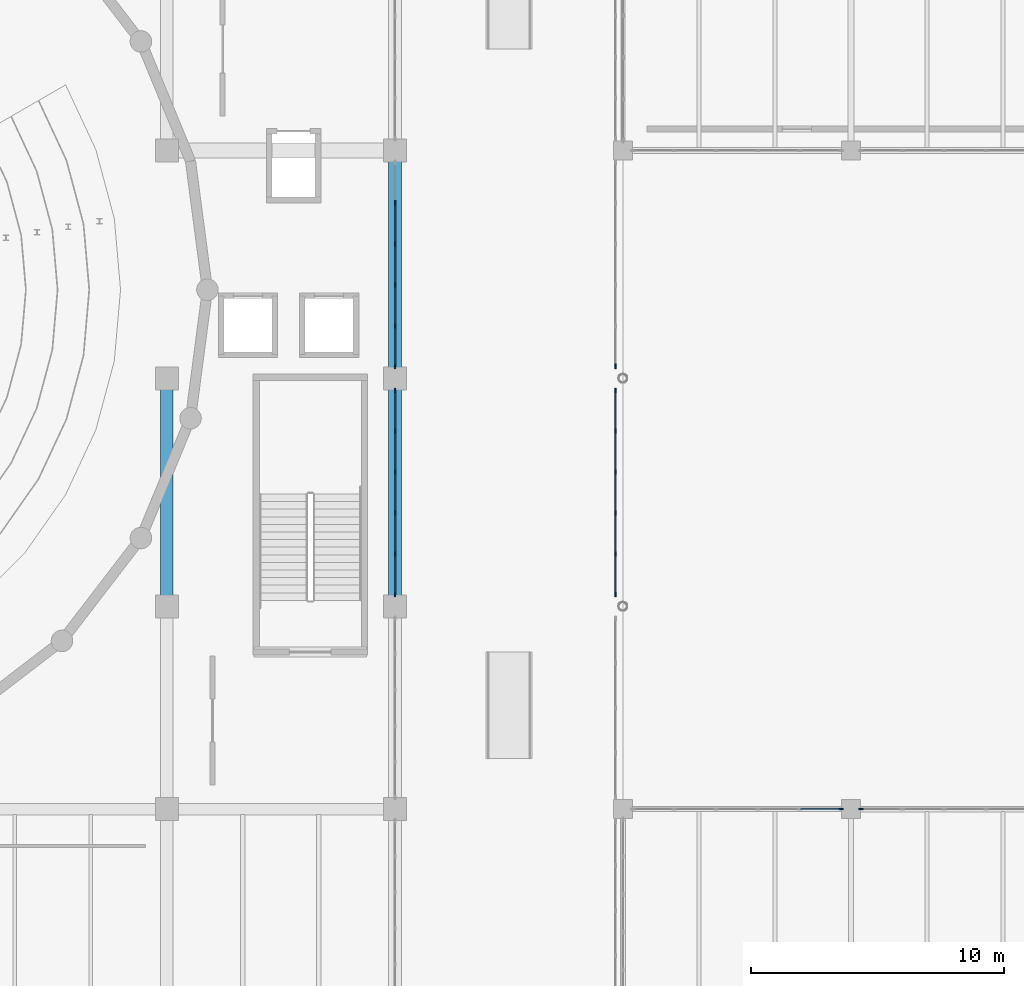
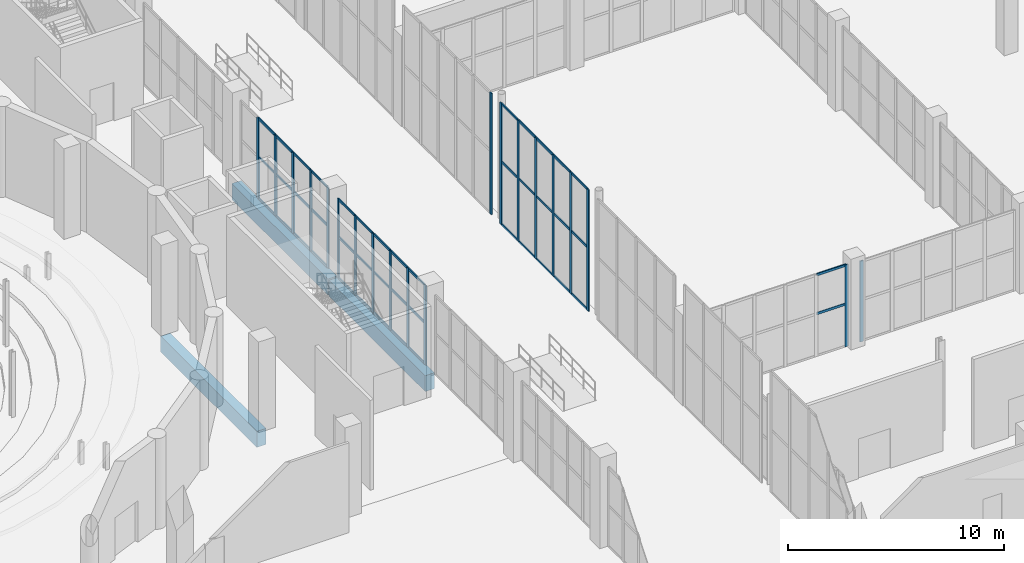
# One storey, part 46 of 103: 64 members, 3 beams, 6 elements without a shape of their own.
"""IFC4 building model written with IfcOpenShell, lengths in metres."""

from ifc_helpers import new_model, si_unit, direction, frame, origin, origin_2d, place, context, subcontext, project, spatial, rectangle, extrude, material, layer, layer_set, material_profile, profile_set, type_object, element, aggregate, save


model = new_model("IFC4")

# Units and contexts
model_context = context("Model", 3, precision=1e-05, world=origin(), true_north=direction((0.0, 1.0)))
body_context = subcontext(model_context, "Body", "Model", "MODEL_VIEW")
ifc_project = project(units=[si_unit("LENGTHUNIT", "METRE"), si_unit("AREAUNIT", "SQUARE_METRE"), si_unit("VOLUMEUNIT", "CUBIC_METRE"), si_unit("PLANEANGLEUNIT", "RADIAN"), si_unit("MASSUNIT", "GRAM", prefix="KILO")], contexts=[model_context])

# Site, building, storey
site_placement = place(None, origin())
site = spatial("IfcSite", under=ifc_project, at=site_placement, CompositionType="ELEMENT")
building_placement = place(site_placement, origin())
building = spatial("IfcBuilding", under=site, at=building_placement, Name="Marnock Terrace Opera House", CompositionType="ELEMENT")
storey_placement = place(building_placement, origin())
storey = spatial("IfcBuildingStorey", under=building, at=storey_placement, Name="L00", CompositionType="ELEMENT", Elevation=0.0)

# Beams
ifc_material_1 = material(Name="Concrete N40 (f'c = 40 MPa)", Category="concrete")
ifc_material_profile_1 = material_profile(ifc_material_1, rectangle(XDim=0.5, YDim=0.89990234375, at=origin_2d()))
ifc_profile_set_1 = profile_set([ifc_material_profile_1], Name="Concrete N40 (f'c = 40 MPa)")
beam_type = type_object("IfcBeamType", Name="BM-B1-RC500", PredefinedType="BEAM", material=ifc_profile_set_1)
for number, where, z_axis, x_axis, name in (
    (1, (100.0, 48.050048828125, -0.75), (0.0, 1.0, 0.0), (-1.0, 0.0, 0.0), "L00 girder (X=100.0, 48.0..57.0)"),
    (2, (109.0, 48.050048828125, -0.75), (0.0, 1.0, 0.0), (-1.0, 0.0, 0.0), "L00 girder (X=109.0, 48.0..57.0)"),
    (3, (109.0, 57.050048828125, -0.75), (0.0, 1.0, 0.0), (-1.0, 0.0, 0.0), "L00 girder (X=109.0, 57.0..66.0)"),
):
    element("IfcBeam", number, at=place(storey_placement, frame(where, z_axis=z_axis, x_axis=x_axis)), inside=storey, type_object=beam_type, Name=name, PredefinedType="BEAM", context=body_context, shape_type="SweptSolid", body=[
        extrude(rectangle(XDim=0.5, YDim=0.89990234375, at=origin_2d()), origin(), (0.0, 0.0, 1.0), 8.89990234375),
    ])

# Curtain wall, members
ifc_material_2 = material(Name="Anodised architectural bronze aluminium framing", Category="aluminium")
ifc_layer_1 = layer(ifc_material_2, 0.159912109375)
ifc_layer_set_1 = layer_set([ifc_layer_1], Name="Anodised architectural bronze aluminium framing")
curtain_wall_type_1 = type_object("IfcCurtainWallType", Name="CW-FOYER-90x51", PredefinedType="NOTDEFINED", material=ifc_layer_set_1)
curtain_wall_1_placement = place(storey_placement, origin())
curtain_wall_1 = element("IfcCurtainWall", 4, at=curtain_wall_1_placement, inside=storey, type_object=curtain_wall_type_1, Name="L00 glazed Beaux-Arts colonnade curtain wall CW-V1E-L00-06", PredefinedType="NOTDEFINED")
ifc_material_profile_2 = material_profile(ifc_material_2, rectangle(XDim=0.06494140625, YDim=0.179931640625, at=origin_2d()))
ifc_profile_set_2 = profile_set([ifc_material_profile_2], Name="Anodised architectural bronze aluminium framing")
member_type_1 = type_object("IfcMemberType", Name="CWM-65x180", PredefinedType="MULLION", material=ifc_profile_set_2)
member_1_placement = place(storey_placement, frame((109.0, 48.47607421875, 0.0), z_axis=(0.0, 0.0, 1.0), x_axis=(-1.0, 0.0, 0.0)))
member_1 = element("IfcMember", 5, at=member_1_placement, type_object=member_type_1, Name="CW-31 mullion 1", PredefinedType="MULLION", context=body_context, shape_type="SweptSolid", body=[
    extrude(rectangle(XDim=0.06494140625, YDim=0.179931640625, at=origin_2d()), origin(), (0.0, 0.0, 1.0), 4.488037109375),
])
member_2_placement = place(storey_placement, frame((109.0, 50.067626953125, 0.0), z_axis=(0.0, 0.0, 1.0), x_axis=(-1.0, 0.0, 0.0)))
member_2 = element("IfcMember", 6, at=member_2_placement, type_object=member_type_1, Name="CW-31 mullion 2", PredefinedType="MULLION", context=body_context, shape_type="SweptSolid", body=[
    extrude(rectangle(XDim=0.06494140625, YDim=0.179931640625, at=origin_2d()), origin(), (0.0, 0.0, 1.0), 4.488037109375),
])
member_3_placement = place(storey_placement, frame((109.0, 51.689208984375, 0.0), z_axis=(0.0, 0.0, 1.0), x_axis=(-1.0, 0.0, 0.0)))
member_3 = element("IfcMember", 7, at=member_3_placement, type_object=member_type_1, Name="CW-31 mullion 3", PredefinedType="MULLION", context=body_context, shape_type="SweptSolid", body=[
    extrude(rectangle(XDim=0.06494140625, YDim=0.179931640625, at=origin_2d()), origin(), (0.0, 0.0, 1.0), 4.488037109375),
])
member_4_placement = place(storey_placement, frame((109.0, 53.310791015625, 0.0), z_axis=(0.0, 0.0, 1.0), x_axis=(-1.0, 0.0, 0.0)))
member_4 = element("IfcMember", 8, at=member_4_placement, type_object=member_type_1, Name="CW-31 mullion 4", PredefinedType="MULLION", context=body_context, shape_type="SweptSolid", body=[
    extrude(rectangle(XDim=0.06494140625, YDim=0.179931640625, at=origin_2d()), origin(), (0.0, 0.0, 1.0), 4.488037109375),
])
member_5_placement = place(storey_placement, frame((109.0, 54.932373046875, 0.0), z_axis=(0.0, 0.0, 1.0), x_axis=(-1.0, 0.0, 0.0)))
member_5 = element("IfcMember", 9, at=member_5_placement, type_object=member_type_1, Name="CW-31 mullion 5", PredefinedType="MULLION", context=body_context, shape_type="SweptSolid", body=[
    extrude(rectangle(XDim=0.06494140625, YDim=0.179931640625, at=origin_2d()), origin(), (0.0, 0.0, 1.0), 4.488037109375),
])
member_6_placement = place(storey_placement, frame((109.0, 56.52392578125, 0.0), z_axis=(0.0, 0.0, 1.0), x_axis=(-1.0, 0.0, 0.0)))
member_6 = element("IfcMember", 10, at=member_6_placement, type_object=member_type_1, Name="CW-31 mullion 6", PredefinedType="MULLION", context=body_context, shape_type="SweptSolid", body=[
    extrude(rectangle(XDim=0.06494140625, YDim=0.179931640625, at=origin_2d()), origin(), (0.0, 0.0, 1.0), 4.488037109375),
])

curtain_wall_2_placement = place(storey_placement, origin())
curtain_wall_2 = element("IfcCurtainWall", 11, at=curtain_wall_2_placement, inside=storey, type_object=curtain_wall_type_1, Name="L00 glazed Beaux-Arts colonnade curtain wall CW-V1E-L00-07", PredefinedType="NOTDEFINED")
member_7_placement = place(storey_placement, frame((109.0, 57.47607421875, 0.0), z_axis=(0.0, 0.0, 1.0), x_axis=(-1.0, 0.0, 0.0)))
member_7 = element("IfcMember", 12, at=member_7_placement, type_object=member_type_1, Name="CW-31 mullion 1", PredefinedType="MULLION", context=body_context, shape_type="SweptSolid", body=[
    extrude(rectangle(XDim=0.06494140625, YDim=0.179931640625, at=origin_2d()), origin(), (0.0, 0.0, 1.0), 4.56201171875),
])
member_8_placement = place(storey_placement, frame((109.0, 59.067626953125, 0.0), z_axis=(0.0, 0.0, 1.0), x_axis=(-1.0, 0.0, 0.0)))
member_8 = element("IfcMember", 13, at=member_8_placement, type_object=member_type_1, Name="CW-31 mullion 2", PredefinedType="MULLION", context=body_context, shape_type="SweptSolid", body=[
    extrude(rectangle(XDim=0.06494140625, YDim=0.179931640625, at=origin_2d()), origin(), (0.0, 0.0, 1.0), 4.56201171875),
])
member_9_placement = place(storey_placement, frame((109.0, 60.689208984375, 0.0), z_axis=(0.0, 0.0, 1.0), x_axis=(-1.0, 0.0, 0.0)))
member_9 = element("IfcMember", 14, at=member_9_placement, type_object=member_type_1, Name="CW-31 mullion 3", PredefinedType="MULLION", context=body_context, shape_type="SweptSolid", body=[
    extrude(rectangle(XDim=0.06494140625, YDim=0.179931640625, at=origin_2d()), origin(), (0.0, 0.0, 1.0), 4.56201171875),
])
member_10_placement = place(storey_placement, frame((109.0, 62.310791015625, 0.0), z_axis=(0.0, 0.0, 1.0), x_axis=(-1.0, 0.0, 0.0)))
member_10 = element("IfcMember", 15, at=member_10_placement, type_object=member_type_1, Name="CW-31 mullion 4", PredefinedType="MULLION", context=body_context, shape_type="SweptSolid", body=[
    extrude(rectangle(XDim=0.06494140625, YDim=0.179931640625, at=origin_2d()), origin(), (0.0, 0.0, 1.0), 4.56201171875),
])
member_11_placement = place(storey_placement, frame((109.0, 63.932373046875, 0.0), z_axis=(0.0, 0.0, 1.0), x_axis=(-1.0, 0.0, 0.0)))
member_11 = element("IfcMember", 16, at=member_11_placement, type_object=member_type_1, Name="CW-31 mullion 5", PredefinedType="MULLION", context=body_context, shape_type="SweptSolid", body=[
    extrude(rectangle(XDim=0.06494140625, YDim=0.179931640625, at=origin_2d()), origin(), (0.0, 0.0, 1.0), 4.56201171875),
])

# Curtain wall, member
ifc_layer_2 = layer(ifc_material_2, 0.159912109375)
ifc_layer_set_2 = layer_set([ifc_layer_2], Name="Anodised architectural bronze aluminium framing")
curtain_wall_type_2 = type_object("IfcCurtainWallType", Name="CW-LOGGIA-86x51", PredefinedType="NOTDEFINED", material=ifc_layer_set_2)
curtain_wall_3_placement = place(storey_placement, origin())
curtain_wall_3 = element("IfcCurtainWall", 17, at=curtain_wall_3_placement, inside=storey, type_object=curtain_wall_type_2, Name="L00 glazed Beaux-Arts colonnade curtain wall CW-V5-L00-CS1", PredefinedType="NOTDEFINED")
member_12_placement = place(storey_placement, frame((126.59912109375, 40.0, 0.0), z_axis=(0.0, 0.0, 1.0), x_axis=(0.0, 1.0, 0.0)))
member_12 = element("IfcMember", 18, at=member_12_placement, type_object=member_type_1, Name="CW-96 mullion 6", PredefinedType="MULLION", context=body_context, shape_type="SweptSolid", body=[
    extrude(rectangle(XDim=0.06494140625, YDim=0.179931640625, at=origin_2d()), origin(), (0.0, 0.0, 1.0), 4.629638671875),
])

curtain_wall_4_placement = place(storey_placement, origin())
curtain_wall_4 = element("IfcCurtainWall", 19, at=curtain_wall_4_placement, inside=storey, type_object=curtain_wall_type_2, Name="L00 glazed Beaux-Arts colonnade curtain wall CW-V5-L00-CS2", PredefinedType="NOTDEFINED")
member_13_placement = place(storey_placement, frame((127.40087890625, 40.0, 0.0), z_axis=(0.0, 0.0, 1.0), x_axis=(0.0, 1.0, 0.0)))
member_13 = element("IfcMember", 20, at=member_13_placement, type_object=member_type_1, Name="CW-96 mullion 1", PredefinedType="MULLION", context=body_context, shape_type="SweptSolid", body=[
    extrude(rectangle(XDim=0.06494140625, YDim=0.179931640625, at=origin_2d()), origin(), (0.0, 0.0, 1.0), 4.556884765625),
])
aggregate(curtain_wall_4, [member_13])

# Curtain wall, members
ifc_layer_3 = layer(ifc_material_2, 0.159912109375)
ifc_layer_set_3 = layer_set([ifc_layer_3], Name="Anodised architectural bronze aluminium framing")
curtain_wall_type_3 = type_object("IfcCurtainWallType", Name="CW-PASSAGE-81x68", PredefinedType="NOTDEFINED", material=ifc_layer_set_3)
curtain_wall_5_placement = place(storey_placement, origin())
curtain_wall_5 = element("IfcCurtainWall", 21, at=curtain_wall_5_placement, inside=storey, type_object=curtain_wall_type_3, Name="L00 glazed Beaux-Arts colonnade curtain wall CW-PASSAGE-L00-06", PredefinedType="NOTDEFINED")
member_14_placement = place(storey_placement, frame((117.699951171875, 48.47998046875, 0.0), z_axis=(0.0, 0.0, 1.0), x_axis=(-1.0, 0.0, 0.0)))
member_14 = element("IfcMember", 22, at=member_14_placement, type_object=member_type_1, Name="CW-65 mullion 1", PredefinedType="MULLION", context=body_context, shape_type="SweptSolid", body=[
    extrude(rectangle(XDim=0.06494140625, YDim=0.179931640625, at=origin_2d()), origin(), (0.0, 0.0, 1.0), 6.85009765625),
])
member_15_placement = place(storey_placement, frame((117.699951171875, 50.070068359375, 0.0), z_axis=(0.0, 0.0, 1.0), x_axis=(-1.0, 0.0, 0.0)))
member_15 = element("IfcMember", 23, at=member_15_placement, type_object=member_type_1, Name="CW-65 mullion 2", PredefinedType="MULLION", context=body_context, shape_type="SweptSolid", body=[
    extrude(rectangle(XDim=0.06494140625, YDim=0.179931640625, at=origin_2d()), origin(), (0.0, 0.0, 1.0), 6.85009765625),
])
member_16_placement = place(storey_placement, frame((117.699951171875, 51.68994140625, 0.0), z_axis=(0.0, 0.0, 1.0), x_axis=(-1.0, 0.0, 0.0)))
member_16 = element("IfcMember", 24, at=member_16_placement, type_object=member_type_1, Name="CW-65 mullion 3", PredefinedType="MULLION", context=body_context, shape_type="SweptSolid", body=[
    extrude(rectangle(XDim=0.06494140625, YDim=0.179931640625, at=origin_2d()), origin(), (0.0, 0.0, 1.0), 6.85009765625),
])
member_17_placement = place(storey_placement, frame((117.699951171875, 53.31005859375, 0.0), z_axis=(0.0, 0.0, 1.0), x_axis=(-1.0, 0.0, 0.0)))
member_17 = element("IfcMember", 25, at=member_17_placement, type_object=member_type_1, Name="CW-65 mullion 4", PredefinedType="MULLION", context=body_context, shape_type="SweptSolid", body=[
    extrude(rectangle(XDim=0.06494140625, YDim=0.179931640625, at=origin_2d()), origin(), (0.0, 0.0, 1.0), 6.85009765625),
])
member_18_placement = place(storey_placement, frame((117.699951171875, 54.929931640625, 0.0), z_axis=(0.0, 0.0, 1.0), x_axis=(-1.0, 0.0, 0.0)))
member_18 = element("IfcMember", 26, at=member_18_placement, type_object=member_type_1, Name="CW-65 mullion 5", PredefinedType="MULLION", context=body_context, shape_type="SweptSolid", body=[
    extrude(rectangle(XDim=0.06494140625, YDim=0.179931640625, at=origin_2d()), origin(), (0.0, 0.0, 1.0), 6.85009765625),
])
member_19_placement = place(storey_placement, frame((117.699951171875, 56.52001953125, 0.0), z_axis=(0.0, 0.0, 1.0), x_axis=(-1.0, 0.0, 0.0)))
member_19 = element("IfcMember", 27, at=member_19_placement, type_object=member_type_1, Name="CW-65 mullion 6", PredefinedType="MULLION", context=body_context, shape_type="SweptSolid", body=[
    extrude(rectangle(XDim=0.06494140625, YDim=0.179931640625, at=origin_2d()), origin(), (0.0, 0.0, 1.0), 6.85009765625),
])

# Curtain wall, member
curtain_wall_6_placement = place(storey_placement, origin())
curtain_wall_6 = element("IfcCurtainWall", 28, at=curtain_wall_6_placement, inside=storey, type_object=curtain_wall_type_3, Name="L00 glazed Beaux-Arts colonnade curtain wall CW-PASSAGE-L00-07", PredefinedType="NOTDEFINED")
member_20_placement = place(storey_placement, frame((117.699951171875, 57.47998046875, 0.0), z_axis=(0.0, 0.0, 1.0), x_axis=(-1.0, 0.0, 0.0)))
member_20 = element("IfcMember", 29, at=member_20_placement, type_object=member_type_1, Name="CW-65 mullion 1", PredefinedType="MULLION", context=body_context, shape_type="SweptSolid", body=[
    extrude(rectangle(XDim=0.06494140625, YDim=0.179931640625, at=origin_2d()), origin(), (0.0, 0.0, 1.0), 6.85009765625),
])
aggregate(curtain_wall_6, [member_20])

# Member
ifc_material_profile_3 = material_profile(ifc_material_2, rectangle(XDim=0.06005859375, YDim=0.1298828125, at=origin_2d()))
ifc_profile_set_3 = profile_set([ifc_material_profile_3], Name="Anodised architectural bronze aluminium framing")
member_type_2 = type_object("IfcMemberType", Name="CWT-60x130", PredefinedType="USERDEFINED", material=ifc_profile_set_3)
member_21_placement = place(storey_placement, frame((109.0, 48.506103515625, 0.030029296875), z_axis=(0.0, 1.0, 0.0), x_axis=(-1.0, 0.0, 0.0)))
member_21 = element("IfcMember", 30, at=member_21_placement, type_object=member_type_2, Name="CW-31 transom 1.1", ObjectType="TRANSOM", PredefinedType="USERDEFINED", context=body_context, shape_type="SweptSolid", body=[
    extrude(rectangle(XDim=0.06005859375, YDim=0.1298828125, at=origin_2d()), origin(), (0.0, 0.0, 1.0), 1.531494140625),
])

member_22_placement = place(storey_placement, frame((109.0, 48.506103515625, 2.333740234375), z_axis=(0.0, 1.0, 0.0), x_axis=(-1.0, 0.0, 0.0)))
member_22 = element("IfcMember", 31, at=member_22_placement, type_object=member_type_2, Name="CW-31 transom 1.2", ObjectType="TRANSOM", PredefinedType="USERDEFINED", context=body_context, shape_type="SweptSolid", body=[
    extrude(rectangle(XDim=0.06005859375, YDim=0.1298828125, at=origin_2d()), origin(), (0.0, 0.0, 1.0), 1.531494140625),
])

member_23_placement = place(storey_placement, frame((109.0, 48.506103515625, 4.4580078125), z_axis=(0.0, 1.0, 0.0), x_axis=(-1.0, 0.0, 0.0)))
member_23 = element("IfcMember", 32, at=member_23_placement, type_object=member_type_2, Name="CW-31 transom 1.3", ObjectType="TRANSOM", PredefinedType="USERDEFINED", context=body_context, shape_type="SweptSolid", body=[
    extrude(rectangle(XDim=0.06005859375, YDim=0.1298828125, at=origin_2d()), origin(), (0.0, 0.0, 1.0), 1.531494140625),
])

member_24_placement = place(storey_placement, frame((109.0, 50.09765625, 0.030029296875), z_axis=(0.0, 1.0, 0.0), x_axis=(-1.0, 0.0, 0.0)))
member_24 = element("IfcMember", 33, at=member_24_placement, type_object=member_type_2, Name="CW-31 transom 2.1", ObjectType="TRANSOM", PredefinedType="USERDEFINED", context=body_context, shape_type="SweptSolid", body=[
    extrude(rectangle(XDim=0.06005859375, YDim=0.1298828125, at=origin_2d()), origin(), (0.0, 0.0, 1.0), 1.5615234375),
])

member_25_placement = place(storey_placement, frame((109.0, 50.09765625, 2.333740234375), z_axis=(0.0, 1.0, 0.0), x_axis=(-1.0, 0.0, 0.0)))
member_25 = element("IfcMember", 34, at=member_25_placement, type_object=member_type_2, Name="CW-31 transom 2.2", ObjectType="TRANSOM", PredefinedType="USERDEFINED", context=body_context, shape_type="SweptSolid", body=[
    extrude(rectangle(XDim=0.06005859375, YDim=0.1298828125, at=origin_2d()), origin(), (0.0, 0.0, 1.0), 1.5615234375),
])

member_26_placement = place(storey_placement, frame((109.0, 50.09765625, 4.4580078125), z_axis=(0.0, 1.0, 0.0), x_axis=(-1.0, 0.0, 0.0)))
member_26 = element("IfcMember", 35, at=member_26_placement, type_object=member_type_2, Name="CW-31 transom 2.3", ObjectType="TRANSOM", PredefinedType="USERDEFINED", context=body_context, shape_type="SweptSolid", body=[
    extrude(rectangle(XDim=0.06005859375, YDim=0.1298828125, at=origin_2d()), origin(), (0.0, 0.0, 1.0), 1.5615234375),
])

member_27_placement = place(storey_placement, frame((109.0, 51.71923828125, 0.030029296875), z_axis=(0.0, 1.0, 0.0), x_axis=(-1.0, 0.0, 0.0)))
member_27 = element("IfcMember", 36, at=member_27_placement, type_object=member_type_2, Name="CW-31 transom 3.1", ObjectType="TRANSOM", PredefinedType="USERDEFINED", context=body_context, shape_type="SweptSolid", body=[
    extrude(rectangle(XDim=0.06005859375, YDim=0.1298828125, at=origin_2d()), origin(), (0.0, 0.0, 1.0), 1.5615234375),
])

member_28_placement = place(storey_placement, frame((109.0, 51.71923828125, 2.333740234375), z_axis=(0.0, 1.0, 0.0), x_axis=(-1.0, 0.0, 0.0)))
member_28 = element("IfcMember", 37, at=member_28_placement, type_object=member_type_2, Name="CW-31 transom 3.2", ObjectType="TRANSOM", PredefinedType="USERDEFINED", context=body_context, shape_type="SweptSolid", body=[
    extrude(rectangle(XDim=0.06005859375, YDim=0.1298828125, at=origin_2d()), origin(), (0.0, 0.0, 1.0), 1.5615234375),
])

member_29_placement = place(storey_placement, frame((109.0, 51.71923828125, 4.4580078125), z_axis=(0.0, 1.0, 0.0), x_axis=(-1.0, 0.0, 0.0)))
member_29 = element("IfcMember", 38, at=member_29_placement, type_object=member_type_2, Name="CW-31 transom 3.3", ObjectType="TRANSOM", PredefinedType="USERDEFINED", context=body_context, shape_type="SweptSolid", body=[
    extrude(rectangle(XDim=0.06005859375, YDim=0.1298828125, at=origin_2d()), origin(), (0.0, 0.0, 1.0), 1.5615234375),
])

member_30_placement = place(storey_placement, frame((109.0, 53.3408203125, 0.030029296875), z_axis=(0.0, 1.0, 0.0), x_axis=(-1.0, 0.0, 0.0)))
member_30 = element("IfcMember", 39, at=member_30_placement, type_object=member_type_2, Name="CW-31 transom 4.1", ObjectType="TRANSOM", PredefinedType="USERDEFINED", context=body_context, shape_type="SweptSolid", body=[
    extrude(rectangle(XDim=0.06005859375, YDim=0.1298828125, at=origin_2d()), origin(), (0.0, 0.0, 1.0), 1.5615234375),
])

member_31_placement = place(storey_placement, frame((109.0, 53.3408203125, 2.333740234375), z_axis=(0.0, 1.0, 0.0), x_axis=(-1.0, 0.0, 0.0)))
member_31 = element("IfcMember", 40, at=member_31_placement, type_object=member_type_2, Name="CW-31 transom 4.2", ObjectType="TRANSOM", PredefinedType="USERDEFINED", context=body_context, shape_type="SweptSolid", body=[
    extrude(rectangle(XDim=0.06005859375, YDim=0.1298828125, at=origin_2d()), origin(), (0.0, 0.0, 1.0), 1.5615234375),
])

member_32_placement = place(storey_placement, frame((109.0, 53.3408203125, 4.4580078125), z_axis=(0.0, 1.0, 0.0), x_axis=(-1.0, 0.0, 0.0)))
member_32 = element("IfcMember", 41, at=member_32_placement, type_object=member_type_2, Name="CW-31 transom 4.3", ObjectType="TRANSOM", PredefinedType="USERDEFINED", context=body_context, shape_type="SweptSolid", body=[
    extrude(rectangle(XDim=0.06005859375, YDim=0.1298828125, at=origin_2d()), origin(), (0.0, 0.0, 1.0), 1.5615234375),
])

member_33_placement = place(storey_placement, frame((109.0, 54.96240234375, 0.030029296875), z_axis=(0.0, 1.0, 0.0), x_axis=(-1.0, 0.0, 0.0)))
member_33 = element("IfcMember", 42, at=member_33_placement, type_object=member_type_2, Name="CW-31 transom 5.1", ObjectType="TRANSOM", PredefinedType="USERDEFINED", context=body_context, shape_type="SweptSolid", body=[
    extrude(rectangle(XDim=0.06005859375, YDim=0.1298828125, at=origin_2d()), origin(), (0.0, 0.0, 1.0), 1.531494140625),
])

member_34_placement = place(storey_placement, frame((109.0, 54.96240234375, 2.333740234375), z_axis=(0.0, 1.0, 0.0), x_axis=(-1.0, 0.0, 0.0)))
member_34 = element("IfcMember", 43, at=member_34_placement, type_object=member_type_2, Name="CW-31 transom 5.2", ObjectType="TRANSOM", PredefinedType="USERDEFINED", context=body_context, shape_type="SweptSolid", body=[
    extrude(rectangle(XDim=0.06005859375, YDim=0.1298828125, at=origin_2d()), origin(), (0.0, 0.0, 1.0), 1.531494140625),
])

member_35_placement = place(storey_placement, frame((109.0, 54.96240234375, 4.4580078125), z_axis=(0.0, 1.0, 0.0), x_axis=(-1.0, 0.0, 0.0)))
member_35 = element("IfcMember", 44, at=member_35_placement, type_object=member_type_2, Name="CW-31 transom 5.3", ObjectType="TRANSOM", PredefinedType="USERDEFINED", context=body_context, shape_type="SweptSolid", body=[
    extrude(rectangle(XDim=0.06005859375, YDim=0.1298828125, at=origin_2d()), origin(), (0.0, 0.0, 1.0), 1.531494140625),
])

aggregate(curtain_wall_1, [member_1, member_2, member_3, member_4, member_5, member_6, member_21, member_22, member_23, member_24, member_25, member_26, member_27, member_28, member_29, member_30, member_31, member_32, member_33, member_34, member_35])

member_36_placement = place(storey_placement, frame((109.0, 57.506103515625, 0.030029296875), z_axis=(0.0, 1.0, 0.0), x_axis=(-1.0, 0.0, 0.0)))
member_36 = element("IfcMember", 45, at=member_36_placement, type_object=member_type_2, Name="CW-31 transom 1.1", ObjectType="TRANSOM", PredefinedType="USERDEFINED", context=body_context, shape_type="SweptSolid", body=[
    extrude(rectangle(XDim=0.06005859375, YDim=0.1298828125, at=origin_2d()), origin(), (0.0, 0.0, 1.0), 1.531494140625),
])

member_37_placement = place(storey_placement, frame((109.0, 57.506103515625, 2.372314453125), z_axis=(0.0, 1.0, 0.0), x_axis=(-1.0, 0.0, 0.0)))
member_37 = element("IfcMember", 46, at=member_37_placement, type_object=member_type_2, Name="CW-31 transom 1.2", ObjectType="TRANSOM", PredefinedType="USERDEFINED", context=body_context, shape_type="SweptSolid", body=[
    extrude(rectangle(XDim=0.06005859375, YDim=0.1298828125, at=origin_2d()), origin(), (0.0, 0.0, 1.0), 1.531494140625),
])

member_38_placement = place(storey_placement, frame((109.0, 57.506103515625, 4.531982421875), z_axis=(0.0, 1.0, 0.0), x_axis=(-1.0, 0.0, 0.0)))
member_38 = element("IfcMember", 47, at=member_38_placement, type_object=member_type_2, Name="CW-31 transom 1.3", ObjectType="TRANSOM", PredefinedType="USERDEFINED", context=body_context, shape_type="SweptSolid", body=[
    extrude(rectangle(XDim=0.06005859375, YDim=0.1298828125, at=origin_2d()), origin(), (0.0, 0.0, 1.0), 1.531494140625),
])

member_39_placement = place(storey_placement, frame((109.0, 59.09765625, 0.030029296875), z_axis=(0.0, 1.0, 0.0), x_axis=(-1.0, 0.0, 0.0)))
member_39 = element("IfcMember", 48, at=member_39_placement, type_object=member_type_2, Name="CW-31 transom 2.1", ObjectType="TRANSOM", PredefinedType="USERDEFINED", context=body_context, shape_type="SweptSolid", body=[
    extrude(rectangle(XDim=0.06005859375, YDim=0.1298828125, at=origin_2d()), origin(), (0.0, 0.0, 1.0), 1.5615234375),
])

member_40_placement = place(storey_placement, frame((109.0, 59.09765625, 2.372314453125), z_axis=(0.0, 1.0, 0.0), x_axis=(-1.0, 0.0, 0.0)))
member_40 = element("IfcMember", 49, at=member_40_placement, type_object=member_type_2, Name="CW-31 transom 2.2", ObjectType="TRANSOM", PredefinedType="USERDEFINED", context=body_context, shape_type="SweptSolid", body=[
    extrude(rectangle(XDim=0.06005859375, YDim=0.1298828125, at=origin_2d()), origin(), (0.0, 0.0, 1.0), 1.5615234375),
])

member_41_placement = place(storey_placement, frame((109.0, 59.09765625, 4.531982421875), z_axis=(0.0, 1.0, 0.0), x_axis=(-1.0, 0.0, 0.0)))
member_41 = element("IfcMember", 50, at=member_41_placement, type_object=member_type_2, Name="CW-31 transom 2.3", ObjectType="TRANSOM", PredefinedType="USERDEFINED", context=body_context, shape_type="SweptSolid", body=[
    extrude(rectangle(XDim=0.06005859375, YDim=0.1298828125, at=origin_2d()), origin(), (0.0, 0.0, 1.0), 1.5615234375),
])

member_42_placement = place(storey_placement, frame((109.0, 60.71923828125, 0.030029296875), z_axis=(0.0, 1.0, 0.0), x_axis=(-1.0, 0.0, 0.0)))
member_42 = element("IfcMember", 51, at=member_42_placement, type_object=member_type_2, Name="CW-31 transom 3.1", ObjectType="TRANSOM", PredefinedType="USERDEFINED", context=body_context, shape_type="SweptSolid", body=[
    extrude(rectangle(XDim=0.06005859375, YDim=0.1298828125, at=origin_2d()), origin(), (0.0, 0.0, 1.0), 1.5615234375),
])

member_43_placement = place(storey_placement, frame((109.0, 60.71923828125, 2.372314453125), z_axis=(0.0, 1.0, 0.0), x_axis=(-1.0, 0.0, 0.0)))
member_43 = element("IfcMember", 52, at=member_43_placement, type_object=member_type_2, Name="CW-31 transom 3.2", ObjectType="TRANSOM", PredefinedType="USERDEFINED", context=body_context, shape_type="SweptSolid", body=[
    extrude(rectangle(XDim=0.06005859375, YDim=0.1298828125, at=origin_2d()), origin(), (0.0, 0.0, 1.0), 1.5615234375),
])

member_44_placement = place(storey_placement, frame((109.0, 60.71923828125, 4.531982421875), z_axis=(0.0, 1.0, 0.0), x_axis=(-1.0, 0.0, 0.0)))
member_44 = element("IfcMember", 53, at=member_44_placement, type_object=member_type_2, Name="CW-31 transom 3.3", ObjectType="TRANSOM", PredefinedType="USERDEFINED", context=body_context, shape_type="SweptSolid", body=[
    extrude(rectangle(XDim=0.06005859375, YDim=0.1298828125, at=origin_2d()), origin(), (0.0, 0.0, 1.0), 1.5615234375),
])

member_45_placement = place(storey_placement, frame((109.0, 62.3408203125, 0.030029296875), z_axis=(0.0, 1.0, 0.0), x_axis=(-1.0, 0.0, 0.0)))
member_45 = element("IfcMember", 54, at=member_45_placement, type_object=member_type_2, Name="CW-31 transom 4.1", ObjectType="TRANSOM", PredefinedType="USERDEFINED", context=body_context, shape_type="SweptSolid", body=[
    extrude(rectangle(XDim=0.06005859375, YDim=0.1298828125, at=origin_2d()), origin(), (0.0, 0.0, 1.0), 1.5615234375),
])

member_46_placement = place(storey_placement, frame((109.0, 62.3408203125, 2.372314453125), z_axis=(0.0, 1.0, 0.0), x_axis=(-1.0, 0.0, 0.0)))
member_46 = element("IfcMember", 55, at=member_46_placement, type_object=member_type_2, Name="CW-31 transom 4.2", ObjectType="TRANSOM", PredefinedType="USERDEFINED", context=body_context, shape_type="SweptSolid", body=[
    extrude(rectangle(XDim=0.06005859375, YDim=0.1298828125, at=origin_2d()), origin(), (0.0, 0.0, 1.0), 1.5615234375),
])

member_47_placement = place(storey_placement, frame((109.0, 62.3408203125, 4.531982421875), z_axis=(0.0, 1.0, 0.0), x_axis=(-1.0, 0.0, 0.0)))
member_47 = element("IfcMember", 56, at=member_47_placement, type_object=member_type_2, Name="CW-31 transom 4.3", ObjectType="TRANSOM", PredefinedType="USERDEFINED", context=body_context, shape_type="SweptSolid", body=[
    extrude(rectangle(XDim=0.06005859375, YDim=0.1298828125, at=origin_2d()), origin(), (0.0, 0.0, 1.0), 1.5615234375),
])

aggregate(curtain_wall_2, [member_7, member_8, member_9, member_10, member_11, member_36, member_37, member_38, member_39, member_40, member_41, member_42, member_43, member_44, member_45, member_46, member_47])

member_48_placement = place(storey_placement, frame((125.00732421875, 40.0, 2.407470703125), z_axis=(1.0, 0.0, 0.0), x_axis=(0.0, 1.0, 0.0)))
member_48 = element("IfcMember", 57, at=member_48_placement, type_object=member_type_2, Name="CW-96 transom 5.2", ObjectType="TRANSOM", PredefinedType="USERDEFINED", context=body_context, shape_type="SweptSolid", body=[
    extrude(rectangle(XDim=0.06005859375, YDim=0.1298828125, at=origin_2d()), origin(), (0.0, 0.0, 1.0), 1.561767578125),
])

member_49_placement = place(storey_placement, frame((125.00732421875, 40.0, 4.599609375), z_axis=(1.0, 0.0, 0.0), x_axis=(0.0, 1.0, 0.0)))
member_49 = element("IfcMember", 58, at=member_49_placement, type_object=member_type_2, Name="CW-96 transom 5.3", ObjectType="TRANSOM", PredefinedType="USERDEFINED", context=body_context, shape_type="SweptSolid", body=[
    extrude(rectangle(XDim=0.06005859375, YDim=0.1298828125, at=origin_2d()), origin(), (0.0, 0.0, 1.0), 1.561767578125),
])

aggregate(curtain_wall_3, [member_12, member_48, member_49])

member_50_placement = place(storey_placement, frame((117.699951171875, 48.510009765625, 0.030029296875), z_axis=(0.0, 1.0, 0.0), x_axis=(-1.0, 0.0, 0.0)))
member_50 = element("IfcMember", 59, at=member_50_placement, type_object=member_type_2, Name="CW-65 transom 1.1", ObjectType="TRANSOM", PredefinedType="USERDEFINED", context=body_context, shape_type="SweptSolid", body=[
    extrude(rectangle(XDim=0.06005859375, YDim=0.1298828125, at=origin_2d()), origin(), (0.0, 0.0, 1.0), 1.530029296875),
])

member_51_placement = place(storey_placement, frame((117.699951171875, 48.510009765625, 3.56201171875), z_axis=(0.0, 1.0, 0.0), x_axis=(-1.0, 0.0, 0.0)))
member_51 = element("IfcMember", 60, at=member_51_placement, type_object=member_type_2, Name="CW-65 transom 1.2", ObjectType="TRANSOM", PredefinedType="USERDEFINED", context=body_context, shape_type="SweptSolid", body=[
    extrude(rectangle(XDim=0.06005859375, YDim=0.1298828125, at=origin_2d()), origin(), (0.0, 0.0, 1.0), 1.530029296875),
])

member_52_placement = place(storey_placement, frame((117.699951171875, 48.510009765625, 6.820068359375), z_axis=(0.0, 1.0, 0.0), x_axis=(-1.0, 0.0, 0.0)))
member_52 = element("IfcMember", 61, at=member_52_placement, type_object=member_type_2, Name="CW-65 transom 1.3", ObjectType="TRANSOM", PredefinedType="USERDEFINED", context=body_context, shape_type="SweptSolid", body=[
    extrude(rectangle(XDim=0.06005859375, YDim=0.1298828125, at=origin_2d()), origin(), (0.0, 0.0, 1.0), 1.530029296875),
])

member_53_placement = place(storey_placement, frame((117.699951171875, 50.10009765625, 0.030029296875), z_axis=(0.0, 1.0, 0.0), x_axis=(-1.0, 0.0, 0.0)))
member_53 = element("IfcMember", 62, at=member_53_placement, type_object=member_type_2, Name="CW-65 transom 2.1", ObjectType="TRANSOM", PredefinedType="USERDEFINED", context=body_context, shape_type="SweptSolid", body=[
    extrude(rectangle(XDim=0.06005859375, YDim=0.1298828125, at=origin_2d()), origin(), (0.0, 0.0, 1.0), 1.559814453125),
])

member_54_placement = place(storey_placement, frame((117.699951171875, 50.10009765625, 3.56201171875), z_axis=(0.0, 1.0, 0.0), x_axis=(-1.0, 0.0, 0.0)))
member_54 = element("IfcMember", 63, at=member_54_placement, type_object=member_type_2, Name="CW-65 transom 2.2", ObjectType="TRANSOM", PredefinedType="USERDEFINED", context=body_context, shape_type="SweptSolid", body=[
    extrude(rectangle(XDim=0.06005859375, YDim=0.1298828125, at=origin_2d()), origin(), (0.0, 0.0, 1.0), 1.559814453125),
])

member_55_placement = place(storey_placement, frame((117.699951171875, 50.10009765625, 6.820068359375), z_axis=(0.0, 1.0, 0.0), x_axis=(-1.0, 0.0, 0.0)))
member_55 = element("IfcMember", 64, at=member_55_placement, type_object=member_type_2, Name="CW-65 transom 2.3", ObjectType="TRANSOM", PredefinedType="USERDEFINED", context=body_context, shape_type="SweptSolid", body=[
    extrude(rectangle(XDim=0.06005859375, YDim=0.1298828125, at=origin_2d()), origin(), (0.0, 0.0, 1.0), 1.559814453125),
])

member_56_placement = place(storey_placement, frame((117.699951171875, 51.719970703125, 0.030029296875), z_axis=(0.0, 1.0, 0.0), x_axis=(-1.0, 0.0, 0.0)))
member_56 = element("IfcMember", 65, at=member_56_placement, type_object=member_type_2, Name="CW-65 transom 3.1", ObjectType="TRANSOM", PredefinedType="USERDEFINED", context=body_context, shape_type="SweptSolid", body=[
    extrude(rectangle(XDim=0.06005859375, YDim=0.1298828125, at=origin_2d()), origin(), (0.0, 0.0, 1.0), 1.56005859375),
])

member_57_placement = place(storey_placement, frame((117.699951171875, 51.719970703125, 3.56201171875), z_axis=(0.0, 1.0, 0.0), x_axis=(-1.0, 0.0, 0.0)))
member_57 = element("IfcMember", 66, at=member_57_placement, type_object=member_type_2, Name="CW-65 transom 3.2", ObjectType="TRANSOM", PredefinedType="USERDEFINED", context=body_context, shape_type="SweptSolid", body=[
    extrude(rectangle(XDim=0.06005859375, YDim=0.1298828125, at=origin_2d()), origin(), (0.0, 0.0, 1.0), 1.56005859375),
])

member_58_placement = place(storey_placement, frame((117.699951171875, 51.719970703125, 6.820068359375), z_axis=(0.0, 1.0, 0.0), x_axis=(-1.0, 0.0, 0.0)))
member_58 = element("IfcMember", 67, at=member_58_placement, type_object=member_type_2, Name="CW-65 transom 3.3", ObjectType="TRANSOM", PredefinedType="USERDEFINED", context=body_context, shape_type="SweptSolid", body=[
    extrude(rectangle(XDim=0.06005859375, YDim=0.1298828125, at=origin_2d()), origin(), (0.0, 0.0, 1.0), 1.56005859375),
])

member_59_placement = place(storey_placement, frame((117.699951171875, 53.340087890625, 0.030029296875), z_axis=(0.0, 1.0, 0.0), x_axis=(-1.0, 0.0, 0.0)))
member_59 = element("IfcMember", 68, at=member_59_placement, type_object=member_type_2, Name="CW-65 transom 4.1", ObjectType="TRANSOM", PredefinedType="USERDEFINED", context=body_context, shape_type="SweptSolid", body=[
    extrude(rectangle(XDim=0.06005859375, YDim=0.1298828125, at=origin_2d()), origin(), (0.0, 0.0, 1.0), 1.559814453125),
])

member_60_placement = place(storey_placement, frame((117.699951171875, 53.340087890625, 3.56201171875), z_axis=(0.0, 1.0, 0.0), x_axis=(-1.0, 0.0, 0.0)))
member_60 = element("IfcMember", 69, at=member_60_placement, type_object=member_type_2, Name="CW-65 transom 4.2", ObjectType="TRANSOM", PredefinedType="USERDEFINED", context=body_context, shape_type="SweptSolid", body=[
    extrude(rectangle(XDim=0.06005859375, YDim=0.1298828125, at=origin_2d()), origin(), (0.0, 0.0, 1.0), 1.559814453125),
])

member_61_placement = place(storey_placement, frame((117.699951171875, 53.340087890625, 6.820068359375), z_axis=(0.0, 1.0, 0.0), x_axis=(-1.0, 0.0, 0.0)))
member_61 = element("IfcMember", 70, at=member_61_placement, type_object=member_type_2, Name="CW-65 transom 4.3", ObjectType="TRANSOM", PredefinedType="USERDEFINED", context=body_context, shape_type="SweptSolid", body=[
    extrude(rectangle(XDim=0.06005859375, YDim=0.1298828125, at=origin_2d()), origin(), (0.0, 0.0, 1.0), 1.559814453125),
])

member_62_placement = place(storey_placement, frame((117.699951171875, 54.9599609375, 0.030029296875), z_axis=(0.0, 1.0, 0.0), x_axis=(-1.0, 0.0, 0.0)))
member_62 = element("IfcMember", 71, at=member_62_placement, type_object=member_type_2, Name="CW-65 transom 5.1", ObjectType="TRANSOM", PredefinedType="USERDEFINED", context=body_context, shape_type="SweptSolid", body=[
    extrude(rectangle(XDim=0.06005859375, YDim=0.1298828125, at=origin_2d()), origin(), (0.0, 0.0, 1.0), 1.530029296875),
])

member_63_placement = place(storey_placement, frame((117.699951171875, 54.9599609375, 3.56201171875), z_axis=(0.0, 1.0, 0.0), x_axis=(-1.0, 0.0, 0.0)))
member_63 = element("IfcMember", 72, at=member_63_placement, type_object=member_type_2, Name="CW-65 transom 5.2", ObjectType="TRANSOM", PredefinedType="USERDEFINED", context=body_context, shape_type="SweptSolid", body=[
    extrude(rectangle(XDim=0.06005859375, YDim=0.1298828125, at=origin_2d()), origin(), (0.0, 0.0, 1.0), 1.530029296875),
])

member_64_placement = place(storey_placement, frame((117.699951171875, 54.9599609375, 6.820068359375), z_axis=(0.0, 1.0, 0.0), x_axis=(-1.0, 0.0, 0.0)))
member_64 = element("IfcMember", 73, at=member_64_placement, type_object=member_type_2, Name="CW-65 transom 5.3", ObjectType="TRANSOM", PredefinedType="USERDEFINED", context=body_context, shape_type="SweptSolid", body=[
    extrude(rectangle(XDim=0.06005859375, YDim=0.1298828125, at=origin_2d()), origin(), (0.0, 0.0, 1.0), 1.530029296875),
])

aggregate(curtain_wall_5, [member_14, member_15, member_16, member_17, member_18, member_19, member_50, member_51, member_52, member_53, member_54, member_55, member_56, member_57, member_58, member_59, member_60, member_61, member_62, member_63, member_64])

save(model, "model.ifc")
